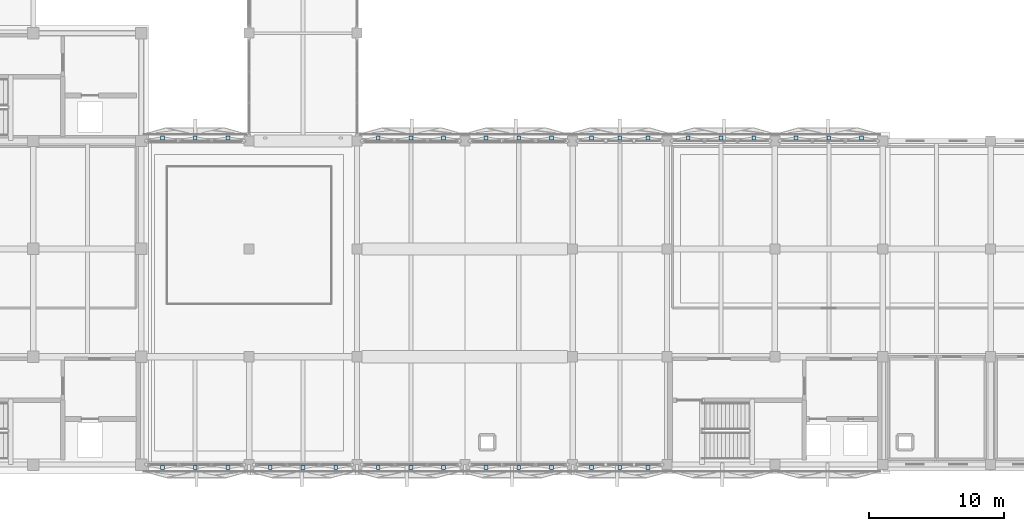
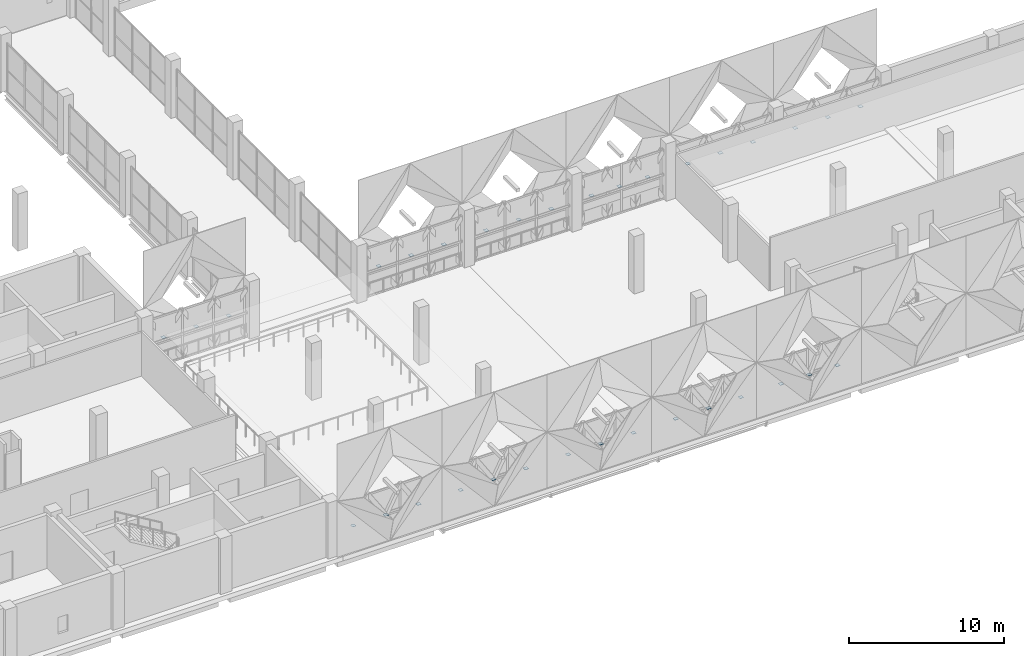
# One storey, part 26 of 53: 33 plates.
"""IFC4 building model written with IfcOpenShell, lengths in metres."""

import ifcopenshell
import ifcopenshell.guid

model = None  # the IFC model being written
_history = None  # IfcOwnerHistory: only IFC2X3 demands one
_inside = {}  # id of a spatial element -> (the spatial element, [elements in it])
_under = {}  # id of a project, library or spatial element -> (it, [spatial elements below it])
_declared = {}  # id of a project -> (the project, [libraries it declares])
_typed = {}  # id of a type object -> (the type object, [elements of that type])
_made_of = {}  # id of a material, layer set ... -> (it, [elements and type objects made of it])


def new_model(schema):
    """Start an empty IFC model of exactly this schema.

    Asked for "IFC4X3", IfcOpenShell would pick the latest addendum, in which some entities
    have other attributes; the version numbers below select the first issue.
    IFC2X3 requires an IfcOwnerHistory on every rooted entity: one is made here for all.
    """
    global model, _history
    if schema == "IFC4X3":
        model = ifcopenshell.file(schema_version=(4, 3, 0, 0))
    else:
        model = ifcopenshell.file(schema=schema)
    _inside.clear()
    _under.clear()
    _declared.clear()
    _typed.clear()
    _made_of.clear()
    _history = None
    if model.schema == "IFC2X3":
        org = make("IfcOrganization", Name="unknown")
        user = make(
            "IfcPersonAndOrganization",
            ThePerson=make("IfcPerson", FamilyName="unknown"),
            TheOrganization=org,
        )
        app = make(
            "IfcApplication",
            ApplicationDeveloper=org,
            Version="unknown",
            ApplicationFullName="unknown",
            ApplicationIdentifier="unknown",
        )
        _history = make(
            "IfcOwnerHistory",
            OwningUser=user,
            OwningApplication=app,
            ChangeAction="ADDED",
            CreationDate=0,
        )
    return model


def make(cls, **values):
    """One entity of the class cls with the attributes given. An attribute that is None is left unset."""
    return model.create_entity(
        cls, **{name: value for name, value in values.items() if value is not None}
    )


def rooted(cls, **values):
    """An entity with a GlobalId (a new one), such as an element, a storey or a relation."""
    return make(cls, GlobalId=ifcopenshell.guid.new(), OwnerHistory=_history, **values)


def si_unit(unit_type, name, prefix=None):
    """IfcSIUnit, for example si_unit("LENGTHUNIT", "METRE", prefix="MILLI")."""
    return make("IfcSIUnit", UnitType=unit_type, Prefix=prefix, Name=name)


def assignment(units):
    """IfcUnitAssignment: the units of a project."""
    return None if units is None else make("IfcUnitAssignment", Units=units)


def point(xyz):
    """IfcCartesianPoint."""
    return None if xyz is None else make("IfcCartesianPoint", Coordinates=xyz)


def direction(xyz):
    """IfcDirection."""
    return None if xyz is None else make("IfcDirection", DirectionRatios=xyz)


def frame(location, z_axis=None, x_axis=None):
    """IfcAxis2Placement3D, a coordinate frame: its origin and axes. An axis left out is left unset."""
    return make(
        "IfcAxis2Placement3D",
        Location=point(location),
        Axis=direction(z_axis),
        RefDirection=direction(x_axis),
    )


def frame_2d(location, x_axis=None):
    """IfcAxis2Placement2D, a coordinate frame in the plane: its origin and x axis."""
    return make(
        "IfcAxis2Placement2D", Location=point(location), RefDirection=direction(x_axis)
    )


def origin():
    """The frame at (0, 0, 0) with its axes left unset."""
    return frame((0.0, 0.0, 0.0))


def origin_2d():
    """The frame at (0, 0) in the plane with its x axis left unset."""
    return frame_2d((0.0, 0.0))


def place(relative_to, where):
    """IfcLocalPlacement: puts the frame where relative to a parent placement (None: the world)."""
    return make(
        "IfcLocalPlacement", PlacementRelTo=relative_to, RelativePlacement=where
    )


def context(
    kind, dimensions, precision=None, world=None, true_north=None, identifier=None
):
    """IfcGeometricRepresentationContext, for example the 3D "Model" context."""
    return make(
        "IfcGeometricRepresentationContext",
        ContextIdentifier=identifier,
        ContextType=kind,
        CoordinateSpaceDimension=dimensions,
        Precision=precision,
        WorldCoordinateSystem=world,
        TrueNorth=true_north,
    )


def subcontext(parent, identifier, kind, view, scale=None):
    """IfcGeometricRepresentationSubContext, for example "Body" below "Model"."""
    return make(
        "IfcGeometricRepresentationSubContext",
        ContextIdentifier=identifier,
        ContextType=kind,
        ParentContext=parent,
        TargetScale=scale,
        TargetView=view,
    )


def project(units=None, contexts=None):
    """IfcProject with its units and contexts."""
    return rooted(
        "IfcProject",
        Name="project",
        RepresentationContexts=contexts,
        UnitsInContext=assignment(units),
    )


def spatial(cls, under=None, at=None, **own):
    """A site, building, storey or space (cls), placed at a placement, below another one or the project."""
    s = rooted(cls, ObjectPlacement=at, **own)
    if under is not None:
        _under.setdefault(under.id(), (under, []))[1].append(s)
    return s


def profile(cls, at=None, kind="AREA", **sizes):
    """A parametric profile (cls). Its sizes go by their IFC names, for example OverallWidth=200.0."""
    return make(cls, ProfileType=kind, Position=at, **sizes)


def rectangle(**sizes):
    """IfcRectangleProfileDef."""
    return profile("IfcRectangleProfileDef", **sizes)


def extrude(swept, where, along, depth):
    """IfcExtrudedAreaSolid: the profile swept, set in the frame where, extruded along a direction by depth."""
    return make(
        "IfcExtrudedAreaSolid",
        SweptArea=swept,
        Position=where,
        ExtrudedDirection=direction(along),
        Depth=depth,
    )


def shape(context_of_items, identifier, shape_type, items):
    """IfcShapeRepresentation: the items that make up one representation, for example the "Body"."""
    return make(
        "IfcShapeRepresentation",
        ContextOfItems=context_of_items,
        RepresentationIdentifier=identifier,
        RepresentationType=shape_type,
        Items=items,
    )


def material(Name=None, Category=None):
    """IfcMaterial."""
    return make("IfcMaterial", Name=Name, Category=Category)


def layer(
    of_material, thickness, ventilated=None, Name=None, Category=None, Priority=None
):
    """IfcMaterialLayer: one layer of a wall or slab, of a material (None: an air gap)."""
    return make(
        "IfcMaterialLayer",
        Material=of_material,
        LayerThickness=thickness,
        IsVentilated=ventilated,
        Name=Name,
        Category=Category,
        Priority=Priority,
    )


def layer_set(layers, Name=None):
    """IfcMaterialLayerSet."""
    return make("IfcMaterialLayerSet", MaterialLayers=layers, LayerSetName=Name)


def made_of(thing, what):
    """Note that an element or type object is made of a material, layer set ...; save() writes the relation."""
    if what is not None:
        _made_of.setdefault(what.id(), (what, []))[1].append(thing)
    return thing


def type_object(cls, material=None, **own):
    """A type object (cls), such as IfcWallType, which elements share."""
    return made_of(rooted(cls, **own), material)


def element(
    cls,
    number,
    at=None,
    inside=None,
    cuts=None,
    type_object=None,
    material=None,
    context=None,
    identifier="Body",
    shape_type=None,
    held_by="IfcProductDefinitionShape",
    body=None,
    shapes=None,
    **own,
):
    """One element of the class cls, such as IfcWall. Its Tag is "e" and its number.

    at: its placement. inside: the storey or other place that contains it. cuts: it is an
    opening in that element (IfcRelVoidsElement). A single representation is given by context,
    identifier, shape_type and body (its items); several are given by shapes. held_by: the class
    of the entity that holds the representations. save() writes the other relations.
    """
    e = rooted(cls, Tag="e%d" % number, ObjectPlacement=at, **own)
    if body is not None:
        shapes = [shape(context, identifier, shape_type, body)]
    if shapes is not None:
        e.Representation = make(held_by, Representations=shapes)
    if inside is not None:
        _inside.setdefault(inside.id(), (inside, []))[1].append(e)
    if cuts is not None:
        rooted(
            "IfcRelVoidsElement", RelatingBuildingElement=cuts, RelatedOpeningElement=e
        )
    if type_object is not None:
        _typed.setdefault(type_object.id(), (type_object, []))[1].append(e)
    return made_of(e, material)


def aggregate(whole, parts):
    """IfcRelAggregates: a whole, such as a stair, and the parts it consists of."""
    return rooted("IfcRelAggregates", RelatingObject=whole, RelatedObjects=parts)


def save(model, path):
    """Write the relations noted so far, then the file.

    IfcRelAggregates (storeys below a building ...), IfcRelContainedInSpatialStructure (elements
    in a storey), IfcRelDefinesByType, IfcRelAssociatesMaterial and IfcRelDeclares: one each for
    every whole, place, type object, material and project.
    """
    for whole, parts in _under.values():
        aggregate(whole, parts)
    for where, things in _inside.values():
        rooted(
            "IfcRelContainedInSpatialStructure",
            RelatedElements=things,
            RelatingStructure=where,
        )
    for kind, things in _typed.values():
        rooted("IfcRelDefinesByType", RelatedObjects=things, RelatingType=kind)
    for what, things in _made_of.values():
        rooted("IfcRelAssociatesMaterial", RelatedObjects=things, RelatingMaterial=what)
    for by, libraries in _declared.values():
        rooted("IfcRelDeclares", RelatingContext=by, RelatedDefinitions=libraries)
    model.write(path)


model = new_model("IFC4")

# Units and contexts
model_context = context("Model", 3, precision=1e-05, world=origin(), true_north=direction((0.0, 1.0)))
body_context = subcontext(model_context, "Body", "Model", "MODEL_VIEW")
ifc_project = project(units=[si_unit("LENGTHUNIT", "METRE"), si_unit("AREAUNIT", "SQUARE_METRE"), si_unit("VOLUMEUNIT", "CUBIC_METRE"), si_unit("PLANEANGLEUNIT", "RADIAN"), si_unit("MASSUNIT", "GRAM", prefix="KILO")], contexts=[model_context])

# Site, building, storey
site_placement = place(None, origin())
site = spatial("IfcSite", under=ifc_project, at=site_placement, CompositionType="ELEMENT")
building_placement = place(site_placement, origin())
building = spatial("IfcBuilding", under=site, at=building_placement, Name="Qorikala Patio Media Centre", CompositionType="ELEMENT")
storey_placement = place(building_placement, frame((0.0, 0.0, 5.39990234375)))
storey = spatial("IfcBuildingStorey", under=building, at=storey_placement, Name="L01", CompositionType="ELEMENT", Elevation=5.39990234375)

# Plates
ifc_material = material(Name="Golden Bronze Coated Steel S355", Category="steel")
ifc_layer = layer(ifc_material, 0.01611328125)
ifc_layer_set = layer_set([ifc_layer], Name="Golden Bronze Coated Steel S355")
plate_type = type_object("IfcPlateType", Name="PL-ND-06", PredefinedType="SHEET", material=ifc_layer_set)
for number, where, z_axis, x_axis, name in (
    (1, (44.5732421875, 27.21923828125, 1.9169921875), (0.0, 0.0, 1.0), (1.0, 0.0, 0.0), "L01 Diamond Apex Node Plate 001"),
    (2, (47.0, 27.21923828125, 1.9169921875), (0.0, 0.0, 1.0), (1.0, 0.0, 0.0), "L01 Diamond Apex Node Plate 002"),
    (3, (49.4267578125, 27.21923828125, 1.9169921875), (0.0, 0.0, 1.0), (1.0, 0.0, 0.0), "L01 Diamond Apex Node Plate 003"),
    (4, (60.5732421875, 27.21923828125, 1.9169921875), (0.0, 0.0, 1.0), (1.0, 0.0, 0.0), "L01 Diamond Apex Node Plate 004"),
    (5, (63.0, 27.21923828125, 1.9169921875), (0.0, 0.0, 1.0), (1.0, 0.0, 0.0), "L01 Diamond Apex Node Plate 005"),
    (6, (65.4267578125, 27.21923828125, 1.9169921875), (0.0, 0.0, 1.0), (1.0, 0.0, 0.0), "L01 Diamond Apex Node Plate 006"),
    (7, (68.5732421875, 27.21923828125, 1.9169921875), (0.0, 0.0, 1.0), (1.0, 0.0, 0.0), "L01 Diamond Apex Node Plate 007"),
    (8, (71.0, 27.21923828125, 1.9169921875), (0.0, 0.0, 1.0), (1.0, 0.0, 0.0), "L01 Diamond Apex Node Plate 008"),
    (9, (73.4267578125, 27.21923828125, 1.9169921875), (0.0, 0.0, 1.0), (1.0, 0.0, 0.0), "L01 Diamond Apex Node Plate 009"),
    (10, (76.40673828125, 27.21923828125, 1.9169921875), (0.0, 0.0, 1.0), (1.0, 0.0, 0.0), "L01 Diamond Apex Node Plate 010"),
    (11, (78.5, 27.21923828125, 1.9169921875), (0.0, 0.0, 1.0), (1.0, 0.0, 0.0), "L01 Diamond Apex Node Plate 011"),
    (12, (80.59326171875, 27.21923828125, 1.9169921875), (0.0, 0.0, 1.0), (1.0, 0.0, 0.0), "L01 Diamond Apex Node Plate 012"),
    (13, (83.5732421875, 27.21923828125, 1.9169921875), (0.0, 0.0, 1.0), (1.0, 0.0, 0.0), "L01 Diamond Apex Node Plate 013"),
    (14, (86.0, 27.21923828125, 1.9169921875), (0.0, 0.0, 1.0), (1.0, 0.0, 0.0), "L01 Diamond Apex Node Plate 014"),
    (15, (88.4267578125, 27.21923828125, 1.9169921875), (0.0, 0.0, 1.0), (1.0, 0.0, 0.0), "L01 Diamond Apex Node Plate 015"),
    (16, (91.5732421875, 27.21923828125, 1.9169921875), (0.0, 0.0, 1.0), (1.0, 0.0, 0.0), "L01 Diamond Apex Node Plate 016"),
    (17, (94.0, 27.21923828125, 1.9169921875), (0.0, 0.0, 1.0), (1.0, 0.0, 0.0), "L01 Diamond Apex Node Plate 017"),
    (18, (96.4267578125, 27.21923828125, 1.9169921875), (0.0, 0.0, 1.0), (1.0, 0.0, 0.0), "L01 Diamond Apex Node Plate 018"),
    (19, (80.59326171875, 2.78076171875, 1.9169921875), (0.0, 0.0, 1.0), (-1.0, 0.0, 0.0), "L01 Diamond Apex Node Plate 019"),
    (20, (78.5, 2.78076171875, 1.9169921875), (0.0, 0.0, 1.0), (-1.0, 0.0, 0.0), "L01 Diamond Apex Node Plate 020"),
    (21, (76.40673828125, 2.78076171875, 1.9169921875), (0.0, 0.0, 1.0), (-1.0, 0.0, 0.0), "L01 Diamond Apex Node Plate 021"),
    (22, (73.4267578125, 2.78076171875, 1.9169921875), (0.0, 0.0, 1.0), (-1.0, 0.0, 0.0), "L01 Diamond Apex Node Plate 022"),
    (23, (71.0, 2.78076171875, 1.9169921875), (0.0, 0.0, 1.0), (-1.0, 0.0, 0.0), "L01 Diamond Apex Node Plate 023"),
    (24, (68.5732421875, 2.78076171875, 1.9169921875), (0.0, 0.0, 1.0), (-1.0, 0.0, 0.0), "L01 Diamond Apex Node Plate 024"),
    (25, (65.4267578125, 2.78076171875, 1.9169921875), (0.0, 0.0, 1.0), (-1.0, 0.0, 0.0), "L01 Diamond Apex Node Plate 025"),
    (26, (63.0, 2.78076171875, 1.9169921875), (0.0, 0.0, 1.0), (-1.0, 0.0, 0.0), "L01 Diamond Apex Node Plate 026"),
    (27, (60.5732421875, 2.78076171875, 1.9169921875), (0.0, 0.0, 1.0), (-1.0, 0.0, 0.0), "L01 Diamond Apex Node Plate 027"),
    (28, (57.4267578125, 2.78076171875, 1.9169921875), (0.0, 0.0, 1.0), (-1.0, 0.0, 0.0), "L01 Diamond Apex Node Plate 028"),
    (29, (55.0, 2.78076171875, 1.9169921875), (0.0, 0.0, 1.0), (-1.0, 0.0, 0.0), "L01 Diamond Apex Node Plate 029"),
    (30, (52.5732421875, 2.78076171875, 1.9169921875), (0.0, 0.0, 1.0), (-1.0, 0.0, 0.0), "L01 Diamond Apex Node Plate 030"),
    (31, (49.4267578125, 2.78076171875, 1.9169921875), (0.0, 0.0, 1.0), (-1.0, 0.0, 0.0), "L01 Diamond Apex Node Plate 031"),
    (32, (47.0, 2.78076171875, 1.9169921875), (0.0, 0.0, 1.0), (-1.0, 0.0, 0.0), "L01 Diamond Apex Node Plate 032"),
    (33, (44.5732421875, 2.78076171875, 1.9169921875), (0.0, 0.0, 1.0), (-1.0, 0.0, 0.0), "L01 Diamond Apex Node Plate 033"),
):
    element("IfcPlate", number, at=place(storey_placement, frame(where, z_axis=z_axis, x_axis=x_axis)), inside=storey, type_object=plate_type, Name=name, PredefinedType="SHEET", context=body_context, shape_type="SweptSolid", body=[
        extrude(rectangle(XDim=0.280029296875, YDim=0.280029296875, at=origin_2d()), origin(), (0.0, 0.0, 1.0), 0.01611328125),
    ])

save(model, "model.ifc")
